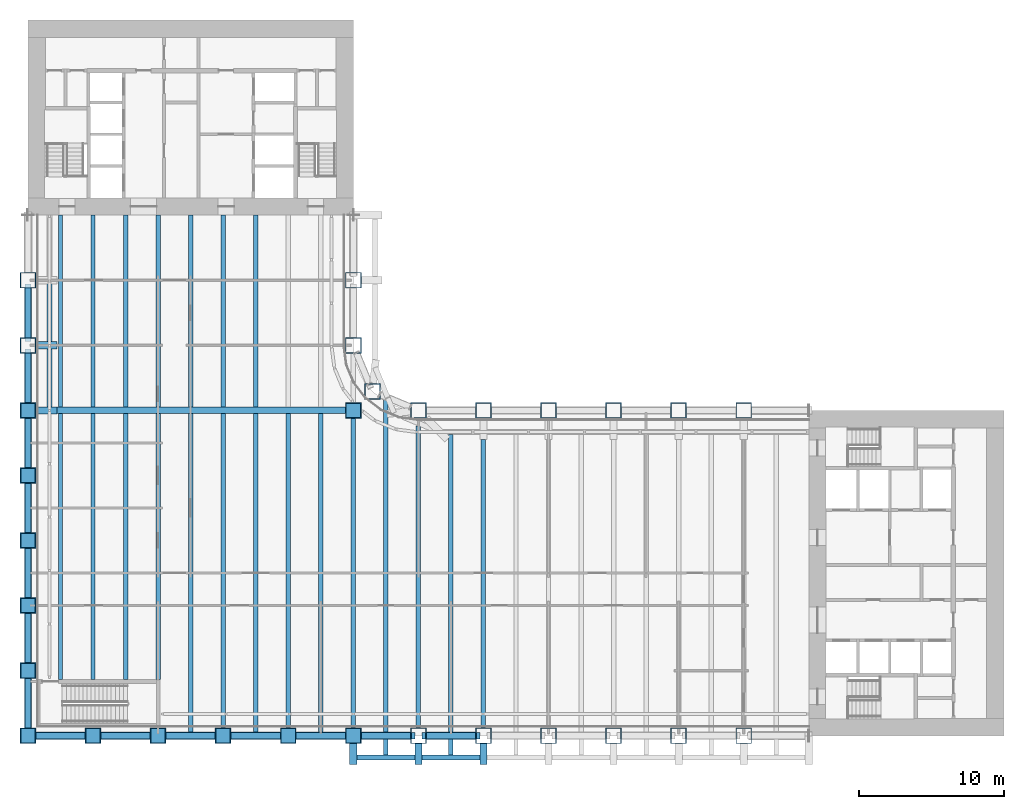
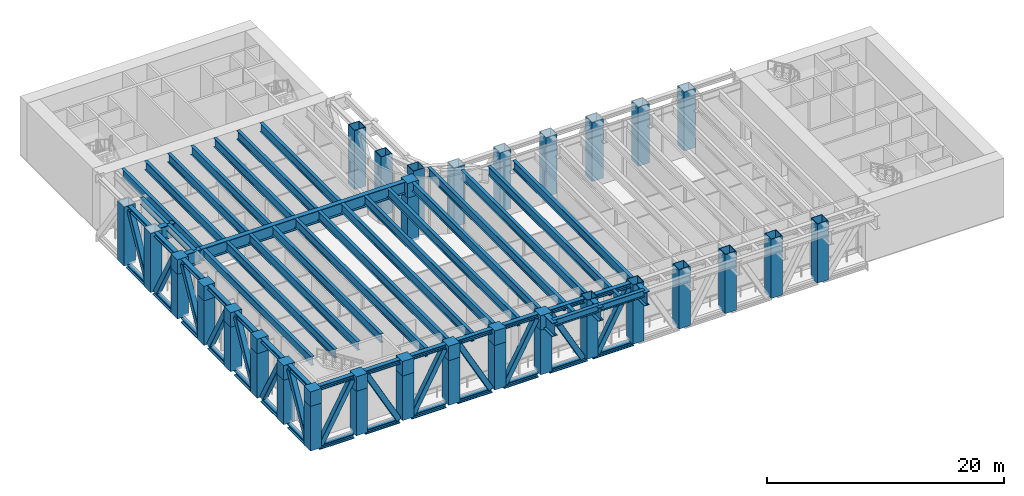
# One storey, part 1 of 19: 42 members, 41 columns, 33 beams.
"""IFC4 building model written with IfcOpenShell, lengths in metres."""

from ifc_helpers import new_model, si_unit, direction, frame, origin, origin_2d, place, context, subcontext, project, spatial, rectangle, hollow_rectangle, i_section, extrude, material, material_profile, profile_set, type_object, element, save


model = new_model("IFC4")

# Units and contexts
model_context = context("Model", 3, precision=1e-05, world=origin(), true_north=direction((0.0, 1.0)))
body_context = subcontext(model_context, "Body", "Model", "MODEL_VIEW")
ifc_project = project(units=[si_unit("LENGTHUNIT", "METRE"), si_unit("AREAUNIT", "SQUARE_METRE"), si_unit("VOLUMEUNIT", "CUBIC_METRE"), si_unit("PLANEANGLEUNIT", "RADIAN"), si_unit("MASSUNIT", "GRAM", prefix="KILO")], contexts=[model_context])

# Site, building, storey
site_placement = place(None, origin())
site = spatial("IfcSite", under=ifc_project, at=site_placement, CompositionType="ELEMENT")
building_placement = place(site_placement, origin())
building = spatial("IfcBuilding", under=site, at=building_placement, Name="Sennacour Bend Tower", CompositionType="ELEMENT")
storey_placement = place(building_placement, frame((0.0, 0.0, 77.0)))
storey = spatial("IfcBuildingStorey", under=building, at=storey_placement, Name="L17", CompositionType="ELEMENT", Elevation=77.0)

# Columns
ifc_material_1 = material(Name="Steel ASTM A572 Grade 50", Category="steel")
ifc_material_profile_1 = material_profile(ifc_material_1, hollow_rectangle(XDim=1.10009765625, YDim=1.10009765625, WallThickness=0.06005859375, at=origin_2d()), Name="Steel ASTM A572 Grade 50", Category="steel")
ifc_profile_set_1 = profile_set([ifc_material_profile_1], Name="Steel ASTM A572 Grade 50")
column_type_1 = type_object("IfcColumnType", Name="Box column 1100", PredefinedType="COLUMN", material=ifc_profile_set_1)
for number, where, z_axis, x_axis, name in (
    (1, (0.0, 0.0, -0.25), (0.0, 0.0, 1.0), (1.0, 0.0, 0.0), "Perimeter column C1 L17-001"),
    (2, (0.0, 4.5, -0.25), (0.0, 0.0, 1.0), (1.0, 0.0, 0.0), "Perimeter column C1 L17-002"),
    (3, (0.0, 9.0, -0.25), (0.0, 0.0, 1.0), (1.0, 0.0, 0.0), "Perimeter column C1 L17-003"),
    (4, (0.0, 13.5, -0.25), (0.0, 0.0, 1.0), (1.0, 0.0, 0.0), "Perimeter column C1 L17-004"),
    (5, (0.0, 18.0, -0.25), (0.0, 0.0, 1.0), (1.0, 0.0, 0.0), "Perimeter column C1 L17-005"),
    (6, (0.0, 22.5, -0.25), (0.0, 0.0, 1.0), (1.0, 0.0, 0.0), "Perimeter column C1 L17-006"),
):
    element("IfcColumn", number, at=place(storey_placement, frame(where, z_axis=z_axis, x_axis=x_axis)), inside=storey, type_object=column_type_1, Name=name, PredefinedType="COLUMN", context=body_context, shape_type="SweptSolid", body=[
        extrude(hollow_rectangle(XDim=1.10009765625, YDim=1.10009765625, WallThickness=0.06005859375, at=origin_2d()), origin(), (0.0, 0.0, 1.0), 4.60009765625),
    ])
for number, where, z_axis, x_axis, name in (
    (7, (0.0, 27.0, -0.25), (0.0, 0.0, 1.0), (1.0, 0.0, 0.0), "Perimeter column C1 L17-007"),
    (8, (0.0, 31.5, -0.25), (0.0, 0.0, 1.0), (1.0, 0.0, 0.0), "Perimeter column C1 L17-008"),
):
    element("IfcColumn", number, at=place(storey_placement, frame(where, z_axis=z_axis, x_axis=x_axis)), inside=storey, type_object=column_type_1, Name=name, PredefinedType="COLUMN", context=body_context, shape_type="SweptSolid", body=[
        extrude(hollow_rectangle(XDim=1.10009765625, YDim=1.10009765625, WallThickness=0.06005859375, at=origin_2d()), origin(), (0.0, 0.0, 1.0), 6.10009765625),
    ])
for number, where, z_axis, x_axis, name in (
    (9, (4.5, 0.0, -0.25), (0.0, 0.0, 1.0), (1.0, 0.0, 0.0), "Perimeter column C1 L17-009"),
    (10, (9.0, 0.0, -0.25), (0.0, 0.0, 1.0), (1.0, 0.0, 0.0), "Perimeter column C1 L17-010"),
    (11, (13.5, 0.0, -0.25), (0.0, 0.0, 1.0), (1.0, 0.0, 0.0), "Perimeter column C1 L17-011"),
    (12, (18.0, 0.0, -0.25), (0.0, 0.0, 1.0), (1.0, 0.0, 0.0), "Perimeter column C1 L17-012"),
    (13, (22.5, 0.0, -0.25), (0.0, 0.0, 1.0), (1.0, 0.0, 0.0), "Perimeter column C1 L17-013"),
    (14, (22.5, 22.5, -0.25), (0.0, 0.0, 1.0), (1.0, 0.0, 0.0), "Knuckle column C1 L17-014"),
):
    element("IfcColumn", number, at=place(storey_placement, frame(where, z_axis=z_axis, x_axis=x_axis)), inside=storey, type_object=column_type_1, Name=name, PredefinedType="COLUMN", context=body_context, shape_type="SweptSolid", body=[
        extrude(hollow_rectangle(XDim=1.10009765625, YDim=1.10009765625, WallThickness=0.06005859375, at=origin_2d()), origin(), (0.0, 0.0, 1.0), 4.60009765625),
    ])
for number, where, z_axis, x_axis, name in (
    (15, (22.5, 27.0, -0.25), (0.0, 0.0, 1.0), (1.0, 0.0, 0.0), "Perimeter column C1 L17-015"),
    (16, (22.5, 31.5, -0.25), (0.0, 0.0, 1.0), (1.0, 0.0, 0.0), "Perimeter column C1 L17-016"),
    (17, (23.818115234375, 23.818115234375, -0.25), (0.0, 0.0, 1.0), (1.0, 0.0, 0.0), "Perimeter column C1 L17-017"),
    (18, (27.0, 0.0, -0.25), (0.0, 0.0, 1.0), (1.0, 0.0, 0.0), "Perimeter column C1 L17-018"),
    (19, (27.0, 22.5, -0.25), (0.0, 0.0, 1.0), (1.0, 0.0, 0.0), "Perimeter column C1 L17-019"),
    (20, (31.5, 0.0, -0.25), (0.0, 0.0, 1.0), (1.0, 0.0, 0.0), "Perimeter column C1 L17-020"),
    (21, (31.5, 22.5, -0.25), (0.0, 0.0, 1.0), (1.0, 0.0, 0.0), "Perimeter column C1 L17-021"),
    (22, (36.0, 0.0, -0.25), (0.0, 0.0, 1.0), (1.0, 0.0, 0.0), "Perimeter column C1 L17-022"),
    (23, (36.0, 22.5, -0.25), (0.0, 0.0, 1.0), (1.0, 0.0, 0.0), "Perimeter column C1 L17-023"),
    (24, (40.5, 0.0, -0.25), (0.0, 0.0, 1.0), (1.0, 0.0, 0.0), "Perimeter column C1 L17-024"),
    (25, (40.5, 22.5, -0.25), (0.0, 0.0, 1.0), (1.0, 0.0, 0.0), "Perimeter column C1 L17-025"),
    (26, (45.0, 0.0, -0.25), (0.0, 0.0, 1.0), (1.0, 0.0, 0.0), "Perimeter column C1 L17-026"),
    (27, (45.0, 22.5, -0.25), (0.0, 0.0, 1.0), (1.0, 0.0, 0.0), "Perimeter column C1 L17-027"),
    (28, (49.5, 0.0, -0.25), (0.0, 0.0, 1.0), (1.0, 0.0, 0.0), "Perimeter column C1 L17-028"),
    (29, (49.5, 22.5, -0.25), (0.0, 0.0, 1.0), (1.0, 0.0, 0.0), "Perimeter column C1 L17-029"),
):
    element("IfcColumn", number, at=place(storey_placement, frame(where, z_axis=z_axis, x_axis=x_axis)), inside=storey, type_object=column_type_1, Name=name, PredefinedType="COLUMN", context=body_context, shape_type="SweptSolid", body=[
        extrude(hollow_rectangle(XDim=1.10009765625, YDim=1.10009765625, WallThickness=0.06005859375, at=origin_2d()), origin(), (0.0, 0.0, 1.0), 6.10009765625),
    ])
ifc_material_profile_2 = material_profile(ifc_material_1, rectangle(XDim=1.10009765625, YDim=1.10009765625, at=origin_2d()), Name="Steel ASTM A572 Grade 50", Category="steel")
ifc_profile_set_2 = profile_set([ifc_material_profile_2], Name="Steel ASTM A572 Grade 50")
column_type_2 = type_object("IfcColumnType", Name="Column head block 1100", PredefinedType="COLUMN", material=ifc_profile_set_2)
for number, where, z_axis, x_axis, name in (
    (30, (0.0, 0.0, 4.35009765625), (0.0, 0.0, 1.0), (1.0, 0.0, 0.0), "Column head block L17-001"),
    (31, (0.0, 4.5, 4.35009765625), (0.0, 0.0, 1.0), (1.0, 0.0, 0.0), "Column head block L17-002"),
    (32, (0.0, 9.0, 4.35009765625), (0.0, 0.0, 1.0), (1.0, 0.0, 0.0), "Column head block L17-003"),
    (33, (0.0, 13.5, 4.35009765625), (0.0, 0.0, 1.0), (1.0, 0.0, 0.0), "Column head block L17-004"),
    (34, (0.0, 18.0, 4.35009765625), (0.0, 0.0, 1.0), (1.0, 0.0, 0.0), "Column head block L17-005"),
    (35, (0.0, 22.5, 4.35009765625), (0.0, 0.0, 1.0), (1.0, 0.0, 0.0), "Column head block L17-006"),
    (36, (4.5, 0.0, 4.35009765625), (0.0, 0.0, 1.0), (1.0, 0.0, 0.0), "Column head block L17-009"),
    (37, (9.0, 0.0, 4.35009765625), (0.0, 0.0, 1.0), (1.0, 0.0, 0.0), "Column head block L17-010"),
    (38, (13.5, 0.0, 4.35009765625), (0.0, 0.0, 1.0), (1.0, 0.0, 0.0), "Column head block L17-011"),
    (39, (18.0, 0.0, 4.35009765625), (0.0, 0.0, 1.0), (1.0, 0.0, 0.0), "Column head block L17-012"),
    (40, (22.5, 0.0, 4.35009765625), (0.0, 0.0, 1.0), (1.0, 0.0, 0.0), "Column head block L17-013"),
    (41, (22.5, 22.5, 4.35009765625), (0.0, 0.0, 1.0), (1.0, 0.0, 0.0), "Column head block L17-014"),
):
    element("IfcColumn", number, at=place(storey_placement, frame(where, z_axis=z_axis, x_axis=x_axis)), inside=storey, type_object=column_type_2, Name=name, PredefinedType="COLUMN", context=body_context, shape_type="SweptSolid", body=[
        extrude(rectangle(XDim=1.10009765625, YDim=1.10009765625, at=origin_2d()), origin(), (0.0, 0.0, 1.0), 1.5),
    ])

# Members
ifc_material_2 = material(Name="Steel ASTM A992 Grade 50", Category="steel")
ifc_material_profile_3 = material_profile(ifc_material_2, i_section(OverallWidth=0.4189453125, OverallDepth=0.455078125, WebThickness=0.042236328125, FlangeThickness=0.067626953125, FilletRadius=0.01513671875, at=origin_2d()), Name="Steel ASTM A992 Grade 50", Category="steel")
ifc_profile_set_3 = profile_set([ifc_material_profile_3], Name="Steel ASTM A992 Grade 50")
member_type_1 = type_object("IfcMemberType", Name="Belt truss chord W360X551", PredefinedType="CHORD", material=ifc_profile_set_3)
member_1_placement = place(storey_placement, frame((0.0, 23.050048828125, -0.4775390625), z_axis=(0.0, 1.0, 0.0), x_axis=(-1.0, 0.0, 0.0)))
element("IfcMember", 42, at=member_1_placement, inside=storey, type_object=member_type_1, Name="Belt truss chord BC L17-001", PredefinedType="CHORD", context=body_context, shape_type="SweptSolid", body=[
    extrude(i_section(OverallWidth=0.4189453125, OverallDepth=0.455078125, WebThickness=0.042236328125, FlangeThickness=0.067626953125, FilletRadius=0.01513671875, at=origin_2d()), origin(), (0.0, 0.0, 1.0), 3.699951171875),
])
for number, where, z_axis, x_axis, name in (
    (43, (0.0, 27.25, -0.4775390625), (0.0, 1.0, 0.0), (-1.0, 0.0, 0.0), "Belt truss chord BC L17-002"),
    (44, (31.25, 0.0, -0.4775390625), (-1.0, 0.0, 0.0), (0.0, -1.0, 0.0), "Belt truss chord BC L17-019"),
):
    element("IfcMember", number, at=place(storey_placement, frame(where, z_axis=z_axis, x_axis=x_axis)), inside=storey, type_object=member_type_1, Name=name, PredefinedType="CHORD", context=body_context, shape_type="SweptSolid", body=[
        extrude(i_section(OverallWidth=0.4189453125, OverallDepth=0.455078125, WebThickness=0.042236328125, FlangeThickness=0.067626953125, FilletRadius=0.01513671875, at=origin_2d()), origin(), (0.0, 0.0, 1.0), 4.0),
    ])
member_2_placement = place(storey_placement, frame((26.75, 0.0, -0.4775390625), z_axis=(-1.0, 0.0, 0.0), x_axis=(0.0, -1.0, 0.0)))
element("IfcMember", 45, at=member_2_placement, inside=storey, type_object=member_type_1, Name="Belt truss chord BC L17-020", PredefinedType="CHORD", context=body_context, shape_type="SweptSolid", body=[
    extrude(i_section(OverallWidth=0.4189453125, OverallDepth=0.455078125, WebThickness=0.042236328125, FlangeThickness=0.067626953125, FilletRadius=0.01513671875, at=origin_2d()), origin(), (0.0, 0.0, 1.0), 3.699951171875),
])
for number, where, z_axis, x_axis, name in (
    (46, (21.949951171875, 0.0, -0.4775390625), (-1.0, 0.0, 0.0), (0.0, -1.0, 0.0), "Belt truss chord BC L17-021"),
    (47, (17.449951171875, 0.0, -0.4775390625), (-1.0, 0.0, 0.0), (0.0, -1.0, 0.0), "Belt truss chord BC L17-022"),
    (48, (12.949951171875, 0.0, -0.4775390625), (-1.0, 0.0, 0.0), (0.0, -1.0, 0.0), "Belt truss chord BC L17-023"),
    (49, (8.449951171875, 0.0, -0.4775390625), (-1.0, 0.0, 0.0), (0.0, -1.0, 0.0), "Belt truss chord BC L17-024"),
    (50, (3.949951171875, 0.0, -0.4775390625), (-1.0, 0.0, 0.0), (0.0, -1.0, 0.0), "Belt truss chord BC L17-025"),
    (51, (0.0, 0.550048828125, -0.4775390625), (0.0, 1.0, 0.0), (-1.0, 0.0, 0.0), "Belt truss chord BC L17-026"),
    (52, (0.0, 5.050048828125, -0.4775390625), (0.0, 1.0, 0.0), (-1.0, 0.0, 0.0), "Belt truss chord BC L17-027"),
    (53, (0.0, 9.550048828125, -0.4775390625), (0.0, 1.0, 0.0), (-1.0, 0.0, 0.0), "Belt truss chord BC L17-028"),
    (54, (0.0, 14.050048828125, -0.4775390625), (0.0, 1.0, 0.0), (-1.0, 0.0, 0.0), "Belt truss chord BC L17-029"),
    (55, (0.0, 18.550048828125, -0.4775390625), (0.0, 1.0, 0.0), (-1.0, 0.0, 0.0), "Belt truss chord BC L17-030"),
    (56, (0.0, 23.050048828125, 5.62255859375), (0.0, 1.0, 0.0), (-1.0, 0.0, 0.0), "Belt truss chord BC L17-001"),
    (57, (0.0, 27.550048828125, 5.62255859375), (0.0, 1.0, 0.0), (-1.0, 0.0, 0.0), "Belt truss chord BC L17-002"),
    (58, (30.949951171875, 0.0, 5.62255859375), (-1.0, 0.0, 0.0), (0.0, -1.0, 0.0), "Belt truss chord BC L17-019"),
    (59, (26.449951171875, 0.0, 5.62255859375), (-1.0, 0.0, 0.0), (0.0, -1.0, 0.0), "Belt truss chord BC L17-020"),
    (60, (21.949951171875, 0.0, 5.62255859375), (-1.0, 0.0, 0.0), (0.0, -1.0, 0.0), "Belt truss chord BC L17-021"),
    (61, (17.449951171875, 0.0, 5.62255859375), (-1.0, 0.0, 0.0), (0.0, -1.0, 0.0), "Belt truss chord BC L17-022"),
    (62, (12.949951171875, 0.0, 5.62255859375), (-1.0, 0.0, 0.0), (0.0, -1.0, 0.0), "Belt truss chord BC L17-023"),
    (63, (8.449951171875, 0.0, 5.62255859375), (-1.0, 0.0, 0.0), (0.0, -1.0, 0.0), "Belt truss chord BC L17-024"),
    (64, (3.949951171875, 0.0, 5.62255859375), (-1.0, 0.0, 0.0), (0.0, -1.0, 0.0), "Belt truss chord BC L17-025"),
    (65, (0.0, 0.550048828125, 5.62255859375), (0.0, 1.0, 0.0), (-1.0, 0.0, 0.0), "Belt truss chord BC L17-026"),
    (66, (0.0, 5.050048828125, 5.62255859375), (0.0, 1.0, 0.0), (-1.0, 0.0, 0.0), "Belt truss chord BC L17-027"),
    (67, (0.0, 9.550048828125, 5.62255859375), (0.0, 1.0, 0.0), (-1.0, 0.0, 0.0), "Belt truss chord BC L17-028"),
    (68, (0.0, 14.050048828125, 5.62255859375), (0.0, 1.0, 0.0), (-1.0, 0.0, 0.0), "Belt truss chord BC L17-029"),
    (69, (0.0, 18.550048828125, 5.62255859375), (0.0, 1.0, 0.0), (-1.0, 0.0, 0.0), "Belt truss chord BC L17-030"),
):
    element("IfcMember", number, at=place(storey_placement, frame(where, z_axis=z_axis, x_axis=x_axis)), inside=storey, type_object=member_type_1, Name=name, PredefinedType="CHORD", context=body_context, shape_type="SweptSolid", body=[
        extrude(i_section(OverallWidth=0.4189453125, OverallDepth=0.455078125, WebThickness=0.042236328125, FlangeThickness=0.067626953125, FilletRadius=0.01513671875, at=origin_2d()), origin(), (0.0, 0.0, 1.0), 3.39990234375),
    ])
ifc_material_3 = material(Name="Steel ASTM A500 Grade C", Category="steel")
ifc_material_profile_4 = material_profile(ifc_material_3, hollow_rectangle(XDim=0.508056640625, YDim=0.508056640625, WallThickness=0.01904296875, InnerFilletRadius=0.01904296875, OuterFilletRadius=0.0380859375, at=origin_2d()), Name="Steel ASTM A500 Grade C", Category="steel")
ifc_profile_set_4 = profile_set([ifc_material_profile_4], Name="Steel ASTM A500 Grade C")
member_type_2 = type_object("IfcMemberType", Name="Belt truss diagonal 508", PredefinedType="BRACE", material=ifc_profile_set_4)
for number, where, z_axis, x_axis, name in (
    (70, (0.0, 23.199951171875, 5.39501953125), (0.0, 0.481362757746, -0.876521474611), (-1.0, 0.0, 0.0), "Belt truss diagonal BD L17-001"),
    (71, (0.0, 27.699951171875, -0.25), (0.0, 0.481362757746, 0.876521474611), (-1.0, 0.0, 0.0), "Belt truss diagonal BD L17-002"),
    (72, (30.800048828125, 0.0, 5.39501953125), (-0.481362757746, 0.0, -0.876521474611), (0.0, -1.0, 0.0), "Belt truss diagonal BD L17-015"),
    (73, (26.300048828125, 0.0, -0.25), (-0.481362757746, 0.0, 0.876521474611), (0.0, -1.0, 0.0), "Belt truss diagonal BD L17-016"),
    (74, (21.800048828125, 0.0, 5.39501953125), (-0.481362757746, 0.0, -0.876521474611), (0.0, -1.0, 0.0), "Belt truss diagonal BD L17-017"),
    (75, (17.300048828125, 0.0, -0.25), (-0.481362757746, 0.0, 0.876521474611), (0.0, -1.0, 0.0), "Belt truss diagonal BD L17-018"),
    (76, (12.800048828125, 0.0, 5.39501953125), (-0.481362757746, 0.0, -0.876521474611), (0.0, -1.0, 0.0), "Belt truss diagonal BD L17-019"),
    (77, (8.300048828125, 0.0, -0.25), (-0.481362757746, 0.0, 0.876521474611), (0.0, -1.0, 0.0), "Belt truss diagonal BD L17-020"),
    (78, (3.800048828125, 0.0, 5.39501953125), (-0.481362757746, 0.0, -0.876521474611), (0.0, -1.0, 0.0), "Belt truss diagonal BD L17-021"),
    (79, (0.0, 0.699951171875, -0.25), (0.0, 0.481362757746, 0.876521474611), (-1.0, 0.0, 0.0), "Belt truss diagonal BD L17-022"),
    (80, (0.0, 5.199951171875, 5.39501953125), (0.0, 0.481362757746, -0.876521474611), (-1.0, 0.0, 0.0), "Belt truss diagonal BD L17-023"),
    (81, (0.0, 9.699951171875, -0.25), (0.0, 0.481362757746, 0.876521474611), (-1.0, 0.0, 0.0), "Belt truss diagonal BD L17-024"),
    (82, (0.0, 14.199951171875, 5.39501953125), (0.0, 0.481362757746, -0.876521474611), (-1.0, 0.0, 0.0), "Belt truss diagonal BD L17-025"),
    (83, (0.0, 18.699951171875, -0.25), (0.0, 0.481362757746, 0.876521474611), (-1.0, 0.0, 0.0), "Belt truss diagonal BD L17-026"),
):
    element("IfcMember", number, at=place(storey_placement, frame(where, z_axis=z_axis, x_axis=x_axis)), inside=storey, type_object=member_type_2, Name=name, PredefinedType="BRACE", context=body_context, shape_type="SweptSolid", body=[
        extrude(hollow_rectangle(XDim=0.508056640625, YDim=0.508056640625, WallThickness=0.01904296875, InnerFilletRadius=0.01904296875, OuterFilletRadius=0.0380859375, at=origin_2d()), origin(), (0.0, 0.0, 1.0), 6.440185546875),
    ])

# Beams
ifc_material_profile_5 = material_profile(ifc_material_2, i_section(OverallWidth=0.304931640625, OverallDepth=0.912109375, WebThickness=0.015869140625, FlangeThickness=0.02392578125, FilletRadius=0.01904296875, at=origin_2d()), Name="Steel ASTM A992 Grade 50", Category="steel")
ifc_profile_set_5 = profile_set([ifc_material_profile_5], Name="Steel ASTM A992 Grade 50")
beam_type_1 = type_object("IfcBeamType", Name="Floor beam W920X223", PredefinedType="BEAM", material=ifc_profile_set_5)
beam_1_placement = place(storey_placement, frame((2.25, 3.875, 5.39404296875), z_axis=(0.0, 1.0, 0.0), x_axis=(-1.0, 0.0, 0.0)))
element("IfcBeam", 84, at=beam_1_placement, inside=storey, type_object=beam_type_1, Name="Floor beam FBM1 L18-001", PredefinedType="BEAM", context=body_context, shape_type="SweptSolid", body=[
    extrude(i_section(OverallWidth=0.304931640625, OverallDepth=0.912109375, WebThickness=0.015869140625, FlangeThickness=0.02392578125, FilletRadius=0.01904296875, at=origin_2d()), origin(), (0.0, 0.0, 1.0), 18.39990234375),
])
beam_2_placement = place(storey_placement, frame((2.25, 22.72509765625, 5.39404296875), z_axis=(0.0, 1.0, 0.0), x_axis=(-1.0, 0.0, 0.0)))
element("IfcBeam", 85, at=beam_2_placement, inside=storey, type_object=beam_type_1, Name="Floor beam FBM1 L18-002", PredefinedType="BEAM", context=body_context, shape_type="SweptSolid", body=[
    extrude(i_section(OverallWidth=0.304931640625, OverallDepth=0.912109375, WebThickness=0.015869140625, FlangeThickness=0.02392578125, FilletRadius=0.01904296875, at=origin_2d()), origin(), (0.0, 0.0, 1.0), 13.27490234375),
])
beam_3_placement = place(storey_placement, frame((4.5, 3.875, 5.39404296875), z_axis=(0.0, 1.0, 0.0), x_axis=(-1.0, 0.0, 0.0)))
element("IfcBeam", 86, at=beam_3_placement, inside=storey, type_object=beam_type_1, Name="Floor beam FBM1 L18-003", PredefinedType="BEAM", context=body_context, shape_type="SweptSolid", body=[
    extrude(i_section(OverallWidth=0.304931640625, OverallDepth=0.912109375, WebThickness=0.015869140625, FlangeThickness=0.02392578125, FilletRadius=0.01904296875, at=origin_2d()), origin(), (0.0, 0.0, 1.0), 18.39990234375),
])
beam_4_placement = place(storey_placement, frame((4.5, 22.72509765625, 5.39404296875), z_axis=(0.0, 1.0, 0.0), x_axis=(-1.0, 0.0, 0.0)))
element("IfcBeam", 87, at=beam_4_placement, inside=storey, type_object=beam_type_1, Name="Floor beam FBM1 L18-004", PredefinedType="BEAM", context=body_context, shape_type="SweptSolid", body=[
    extrude(i_section(OverallWidth=0.304931640625, OverallDepth=0.912109375, WebThickness=0.015869140625, FlangeThickness=0.02392578125, FilletRadius=0.01904296875, at=origin_2d()), origin(), (0.0, 0.0, 1.0), 13.27490234375),
])
beam_5_placement = place(storey_placement, frame((6.75, 3.875, 5.39404296875), z_axis=(0.0, 1.0, 0.0), x_axis=(-1.0, 0.0, 0.0)))
element("IfcBeam", 88, at=beam_5_placement, inside=storey, type_object=beam_type_1, Name="Floor beam FBM1 L18-005", PredefinedType="BEAM", context=body_context, shape_type="SweptSolid", body=[
    extrude(i_section(OverallWidth=0.304931640625, OverallDepth=0.912109375, WebThickness=0.015869140625, FlangeThickness=0.02392578125, FilletRadius=0.01904296875, at=origin_2d()), origin(), (0.0, 0.0, 1.0), 18.39990234375),
])
beam_6_placement = place(storey_placement, frame((6.75, 22.72509765625, 5.39404296875), z_axis=(0.0, 1.0, 0.0), x_axis=(-1.0, 0.0, 0.0)))
element("IfcBeam", 89, at=beam_6_placement, inside=storey, type_object=beam_type_1, Name="Floor beam FBM1 L18-006", PredefinedType="BEAM", context=body_context, shape_type="SweptSolid", body=[
    extrude(i_section(OverallWidth=0.304931640625, OverallDepth=0.912109375, WebThickness=0.015869140625, FlangeThickness=0.02392578125, FilletRadius=0.01904296875, at=origin_2d()), origin(), (0.0, 0.0, 1.0), 13.27490234375),
])
beam_7_placement = place(storey_placement, frame((9.0, 3.875, 5.39404296875), z_axis=(0.0, 1.0, 0.0), x_axis=(-1.0, 0.0, 0.0)))
element("IfcBeam", 90, at=beam_7_placement, inside=storey, type_object=beam_type_1, Name="Floor beam FBM1 L18-007", PredefinedType="BEAM", context=body_context, shape_type="SweptSolid", body=[
    extrude(i_section(OverallWidth=0.304931640625, OverallDepth=0.912109375, WebThickness=0.015869140625, FlangeThickness=0.02392578125, FilletRadius=0.01904296875, at=origin_2d()), origin(), (0.0, 0.0, 1.0), 18.39990234375),
])
beam_8_placement = place(storey_placement, frame((9.0, 22.72509765625, 5.39404296875), z_axis=(0.0, 1.0, 0.0), x_axis=(-1.0, 0.0, 0.0)))
element("IfcBeam", 91, at=beam_8_placement, inside=storey, type_object=beam_type_1, Name="Floor beam FBM1 L18-008", PredefinedType="BEAM", context=body_context, shape_type="SweptSolid", body=[
    extrude(i_section(OverallWidth=0.304931640625, OverallDepth=0.912109375, WebThickness=0.015869140625, FlangeThickness=0.02392578125, FilletRadius=0.01904296875, at=origin_2d()), origin(), (0.0, 0.0, 1.0), 13.27490234375),
])
beam_9_placement = place(storey_placement, frame((11.25, 0.20947265625, 5.39404296875), z_axis=(0.0, 1.0, 0.0), x_axis=(-1.0, 0.0, 0.0)))
element("IfcBeam", 92, at=beam_9_placement, inside=storey, type_object=beam_type_1, Name="Floor beam FBM1 L18-009", PredefinedType="BEAM", context=body_context, shape_type="SweptSolid", body=[
    extrude(i_section(OverallWidth=0.304931640625, OverallDepth=0.912109375, WebThickness=0.015869140625, FlangeThickness=0.02392578125, FilletRadius=0.01904296875, at=origin_2d()), origin(), (0.0, 0.0, 1.0), 22.0654296875),
])
beam_10_placement = place(storey_placement, frame((11.25, 22.72509765625, 5.39404296875), z_axis=(0.0, 1.0, 0.0), x_axis=(-1.0, 0.0, 0.0)))
element("IfcBeam", 93, at=beam_10_placement, inside=storey, type_object=beam_type_1, Name="Floor beam FBM1 L18-010", PredefinedType="BEAM", context=body_context, shape_type="SweptSolid", body=[
    extrude(i_section(OverallWidth=0.304931640625, OverallDepth=0.912109375, WebThickness=0.015869140625, FlangeThickness=0.02392578125, FilletRadius=0.01904296875, at=origin_2d()), origin(), (0.0, 0.0, 1.0), 13.27490234375),
])
beam_11_placement = place(storey_placement, frame((13.5, 0.550048828125, 5.39404296875), z_axis=(0.0, 1.0, 0.0), x_axis=(-1.0, 0.0, 0.0)))
element("IfcBeam", 94, at=beam_11_placement, inside=storey, type_object=beam_type_1, Name="Floor beam FBM1 L18-011", PredefinedType="BEAM", context=body_context, shape_type="SweptSolid", body=[
    extrude(i_section(OverallWidth=0.304931640625, OverallDepth=0.912109375, WebThickness=0.015869140625, FlangeThickness=0.02392578125, FilletRadius=0.01904296875, at=origin_2d()), origin(), (0.0, 0.0, 1.0), 21.724853515625),
])
beam_12_placement = place(storey_placement, frame((13.5, 22.72509765625, 5.39404296875), z_axis=(0.0, 1.0, 0.0), x_axis=(-1.0, 0.0, 0.0)))
element("IfcBeam", 95, at=beam_12_placement, inside=storey, type_object=beam_type_1, Name="Floor beam FBM1 L18-012", PredefinedType="BEAM", context=body_context, shape_type="SweptSolid", body=[
    extrude(i_section(OverallWidth=0.304931640625, OverallDepth=0.912109375, WebThickness=0.015869140625, FlangeThickness=0.02392578125, FilletRadius=0.01904296875, at=origin_2d()), origin(), (0.0, 0.0, 1.0), 13.27490234375),
])
beam_13_placement = place(storey_placement, frame((15.75, 0.20947265625, 5.39404296875), z_axis=(0.0, 1.0, 0.0), x_axis=(-1.0, 0.0, 0.0)))
element("IfcBeam", 96, at=beam_13_placement, inside=storey, type_object=beam_type_1, Name="Floor beam FBM1 L18-013", PredefinedType="BEAM", context=body_context, shape_type="SweptSolid", body=[
    extrude(i_section(OverallWidth=0.304931640625, OverallDepth=0.912109375, WebThickness=0.015869140625, FlangeThickness=0.02392578125, FilletRadius=0.01904296875, at=origin_2d()), origin(), (0.0, 0.0, 1.0), 22.0654296875),
])
beam_14_placement = place(storey_placement, frame((15.75, 22.72509765625, 5.39404296875), z_axis=(0.0, 1.0, 0.0), x_axis=(-1.0, 0.0, 0.0)))
element("IfcBeam", 97, at=beam_14_placement, inside=storey, type_object=beam_type_1, Name="Floor beam FBM1 L18-014", PredefinedType="BEAM", context=body_context, shape_type="SweptSolid", body=[
    extrude(i_section(OverallWidth=0.304931640625, OverallDepth=0.912109375, WebThickness=0.015869140625, FlangeThickness=0.02392578125, FilletRadius=0.01904296875, at=origin_2d()), origin(), (0.0, 0.0, 1.0), 13.27490234375),
])
beam_15_placement = place(storey_placement, frame((18.0, 0.550048828125, 5.39404296875), z_axis=(0.0, 1.0, 0.0), x_axis=(-1.0, 0.0, 0.0)))
element("IfcBeam", 98, at=beam_15_placement, inside=storey, type_object=beam_type_1, Name="Floor beam FBM1 L18-015", PredefinedType="BEAM", context=body_context, shape_type="SweptSolid", body=[
    extrude(i_section(OverallWidth=0.304931640625, OverallDepth=0.912109375, WebThickness=0.015869140625, FlangeThickness=0.02392578125, FilletRadius=0.01904296875, at=origin_2d()), origin(), (0.0, 0.0, 1.0), 21.724853515625),
])
beam_16_placement = place(storey_placement, frame((20.25, 0.20947265625, 5.39404296875), z_axis=(0.0, 1.0, 0.0), x_axis=(-1.0, 0.0, 0.0)))
element("IfcBeam", 99, at=beam_16_placement, inside=storey, type_object=beam_type_1, Name="Floor beam FBM1 L18-017", PredefinedType="BEAM", context=body_context, shape_type="SweptSolid", body=[
    extrude(i_section(OverallWidth=0.304931640625, OverallDepth=0.912109375, WebThickness=0.015869140625, FlangeThickness=0.02392578125, FilletRadius=0.01904296875, at=origin_2d()), origin(), (0.0, 0.0, 1.0), 22.0654296875),
])
beam_17_placement = place(storey_placement, frame((22.5, 0.550048828125, 5.39404296875), z_axis=(0.0, 1.0, 0.0), x_axis=(-1.0, 0.0, 0.0)))
element("IfcBeam", 100, at=beam_17_placement, inside=storey, type_object=beam_type_1, Name="Floor beam FBM1 L18-019", PredefinedType="BEAM", context=body_context, shape_type="SweptSolid", body=[
    extrude(i_section(OverallWidth=0.304931640625, OverallDepth=0.912109375, WebThickness=0.015869140625, FlangeThickness=0.02392578125, FilletRadius=0.01904296875, at=origin_2d()), origin(), (0.0, 0.0, 1.0), 21.39990234375),
])
beam_18_placement = place(storey_placement, frame((24.75, -1.322021484375, 5.39404296875), z_axis=(0.0, 1.0, 0.0), x_axis=(-1.0, 0.0, 0.0)))
element("IfcBeam", 101, at=beam_18_placement, inside=storey, type_object=beam_type_1, Name="Floor beam FBM1 L18-021", PredefinedType="BEAM", context=body_context, shape_type="SweptSolid", body=[
    extrude(i_section(OverallWidth=0.304931640625, OverallDepth=0.912109375, WebThickness=0.015869140625, FlangeThickness=0.02392578125, FilletRadius=0.01904296875, at=origin_2d()), origin(), (0.0, 0.0, 1.0), 1.112548828125),
])
beam_19_placement = place(storey_placement, frame((24.75, 0.20947265625, 5.39404296875), z_axis=(0.0, 1.0, 0.0), x_axis=(-1.0, 0.0, 0.0)))
element("IfcBeam", 102, at=beam_19_placement, inside=storey, type_object=beam_type_1, Name="Floor beam FBM1 L18-022", PredefinedType="BEAM", context=body_context, shape_type="SweptSolid", body=[
    extrude(i_section(OverallWidth=0.304931640625, OverallDepth=0.912109375, WebThickness=0.015869140625, FlangeThickness=0.02392578125, FilletRadius=0.01904296875, at=origin_2d()), origin(), (0.0, 0.0, 1.0), 22.995849609375),
])
beam_20_placement = place(storey_placement, frame((27.0, 0.550048828125, 5.39404296875), z_axis=(0.0, 1.0, 0.0), x_axis=(-1.0, 0.0, 0.0)))
element("IfcBeam", 103, at=beam_20_placement, inside=storey, type_object=beam_type_1, Name="Floor beam FBM1 L18-023", PredefinedType="BEAM", context=body_context, shape_type="SweptSolid", body=[
    extrude(i_section(OverallWidth=0.304931640625, OverallDepth=0.912109375, WebThickness=0.015869140625, FlangeThickness=0.02392578125, FilletRadius=0.01904296875, at=origin_2d()), origin(), (0.0, 0.0, 1.0), 20.878662109375),
])
beam_21_placement = place(storey_placement, frame((29.25, -1.322021484375, 5.39404296875), z_axis=(0.0, 1.0, 0.0), x_axis=(-1.0, 0.0, 0.0)))
element("IfcBeam", 104, at=beam_21_placement, inside=storey, type_object=beam_type_1, Name="Floor beam FBM1 L18-024", PredefinedType="BEAM", context=body_context, shape_type="SweptSolid", body=[
    extrude(i_section(OverallWidth=0.304931640625, OverallDepth=0.912109375, WebThickness=0.015869140625, FlangeThickness=0.02392578125, FilletRadius=0.01904296875, at=origin_2d()), origin(), (0.0, 0.0, 1.0), 1.112548828125),
])
beam_22_placement = place(storey_placement, frame((29.25, 0.20947265625, 5.39404296875), z_axis=(0.0, 1.0, 0.0), x_axis=(-1.0, 0.0, 0.0)))
element("IfcBeam", 105, at=beam_22_placement, inside=storey, type_object=beam_type_1, Name="Floor beam FBM1 L18-025", PredefinedType="BEAM", context=body_context, shape_type="SweptSolid", body=[
    extrude(i_section(OverallWidth=0.304931640625, OverallDepth=0.912109375, WebThickness=0.015869140625, FlangeThickness=0.02392578125, FilletRadius=0.01904296875, at=origin_2d()), origin(), (0.0, 0.0, 1.0), 20.612548828125),
])
beam_23_placement = place(storey_placement, frame((31.5, 0.550048828125, 5.39404296875), z_axis=(0.0, 1.0, 0.0), x_axis=(-1.0, 0.0, 0.0)))
element("IfcBeam", 106, at=beam_23_placement, inside=storey, type_object=beam_type_1, Name="Floor beam FBM1 L18-026", PredefinedType="BEAM", context=body_context, shape_type="SweptSolid", body=[
    extrude(i_section(OverallWidth=0.304931640625, OverallDepth=0.912109375, WebThickness=0.015869140625, FlangeThickness=0.02392578125, FilletRadius=0.01904296875, at=origin_2d()), origin(), (0.0, 0.0, 1.0), 19.949951171875),
])
ifc_material_profile_6 = material_profile(ifc_material_1, i_section(OverallWidth=0.449951171875, OverallDepth=1.25, WebThickness=0.028076171875, FlangeThickness=0.050048828125, at=origin_2d()), Name="Steel ASTM A572 Grade 50", Category="steel")
ifc_profile_set_6 = profile_set([ifc_material_profile_6], Name="Steel ASTM A572 Grade 50")
beam_type_2 = type_object("IfcBeamType", Name="Knuckle girder 1250", PredefinedType="USERDEFINED", material=ifc_profile_set_6)
beam_24_placement = place(storey_placement, frame((2.0, 22.5, 5.22509765625), z_axis=(1.0, 0.0, 0.0), x_axis=(0.0, 1.0, 0.0)))
element("IfcBeam", 107, at=beam_24_placement, inside=storey, type_object=beam_type_2, Name="Knuckle girder GK L18-001", ObjectType="KNUCKLE GIRDER", PredefinedType="USERDEFINED", context=body_context, shape_type="SweptSolid", body=[
    extrude(i_section(OverallWidth=0.449951171875, OverallDepth=1.25, WebThickness=0.028076171875, FlangeThickness=0.050048828125, at=origin_2d()), origin(), (0.0, 0.0, 1.0), 19.949951171875),
])
ifc_material_profile_7 = material_profile(ifc_material_2, i_section(OverallWidth=0.35595703125, OverallDepth=0.696044921875, WebThickness=0.015380859375, FlangeThickness=0.02490234375, FilletRadius=0.02001953125, at=origin_2d()), Name="Steel ASTM A992 Grade 50", Category="steel")
ifc_profile_set_7 = profile_set([ifc_material_profile_7], Name="Steel ASTM A992 Grade 50")
beam_type_3 = type_object("IfcBeamType", Name="Spandrel beam W690X217", PredefinedType="SPANDREL", material=ifc_profile_set_7)
for number, where, z_axis, x_axis, name in (
    (108, (1.5, 22.514892578125, 5.501953125), (0.0, 1.0, 0.0), (-1.0, 0.0, 0.0), "Spandrel beam SP3 L18-001"),
    (109, (1.5, 27.014892578125, 5.501953125), (0.0, 1.0, 0.0), (-1.0, 0.0, 0.0), "Spandrel beam SP3 L18-002"),
    (110, (31.485107421875, -1.5, 5.501953125), (-1.0, 0.0, 0.0), (0.0, -1.0, 0.0), "Spandrel beam SP3 L18-020"),
    (111, (26.985107421875, -1.5, 5.501953125), (-1.0, 0.0, 0.0), (0.0, -1.0, 0.0), "Spandrel beam SP3 L18-021"),
):
    element("IfcBeam", number, at=place(storey_placement, frame(where, z_axis=z_axis, x_axis=x_axis)), inside=storey, type_object=beam_type_3, Name=name, PredefinedType="SPANDREL", context=body_context, shape_type="SweptSolid", body=[
        extrude(i_section(OverallWidth=0.35595703125, OverallDepth=0.696044921875, WebThickness=0.015380859375, FlangeThickness=0.02490234375, FilletRadius=0.02001953125, at=origin_2d()), origin(), (0.0, 0.0, 1.0), 4.47021484375),
    ])
ifc_material_profile_8 = material_profile(ifc_material_1, i_section(OverallWidth=0.5, OverallDepth=1.39990234375, WebThickness=0.030029296875, FlangeThickness=0.054931640625, at=origin_2d()), Name="Steel ASTM A572 Grade 50", Category="steel")
ifc_profile_set_8 = profile_set([ifc_material_profile_8], Name="Steel ASTM A572 Grade 50")
beam_type_4 = type_object("IfcBeamType", Name="Transfer stub 1400", PredefinedType="USERDEFINED", material=ifc_profile_set_8)
for number, where, z_axis, x_axis, name in (
    (112, (0.550048828125, 22.5, 5.14990234375), (1.0, 0.0, 0.0), (0.0, 1.0, 0.0), "Transfer beam TS L18-001"),
    (113, (0.550048828125, 27.0, 5.14990234375), (1.0, 0.0, 0.0), (0.0, 1.0, 0.0), "Transfer beam TS L18-002"),
    (114, (22.5, -0.550048828125, 5.14990234375), (0.0, -1.0, 0.0), (1.0, 0.0, 0.0), "Transfer beam TS L18-004"),
    (115, (27.0, -0.550048828125, 5.14990234375), (0.0, -1.0, 0.0), (1.0, 0.0, 0.0), "Transfer beam TS L18-009"),
    (116, (31.5, -0.550048828125, 5.14990234375), (0.0, -1.0, 0.0), (1.0, 0.0, 0.0), "Transfer beam TS L18-011"),
):
    element("IfcBeam", number, at=place(storey_placement, frame(where, z_axis=z_axis, x_axis=x_axis)), inside=storey, type_object=beam_type_4, Name=name, ObjectType="TRANSFER BEAM", PredefinedType="USERDEFINED", context=body_context, shape_type="SweptSolid", body=[
        extrude(i_section(OverallWidth=0.5, OverallDepth=1.39990234375, WebThickness=0.030029296875, FlangeThickness=0.054931640625, at=origin_2d()), origin(), (0.0, 0.0, 1.0), 1.449951171875),
    ])

save(model, "model.ifc")
